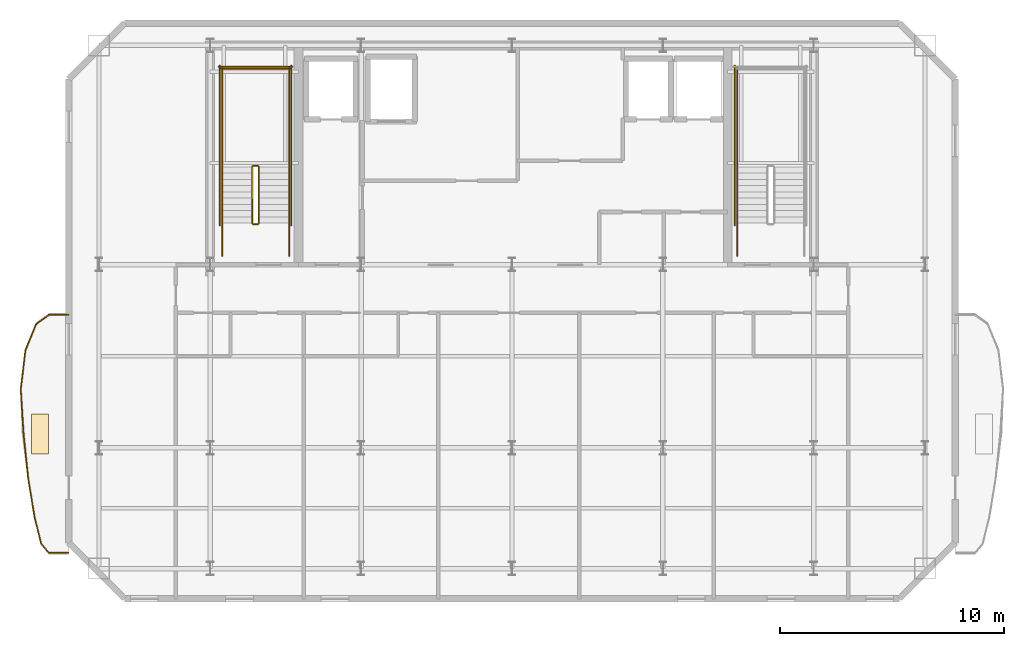
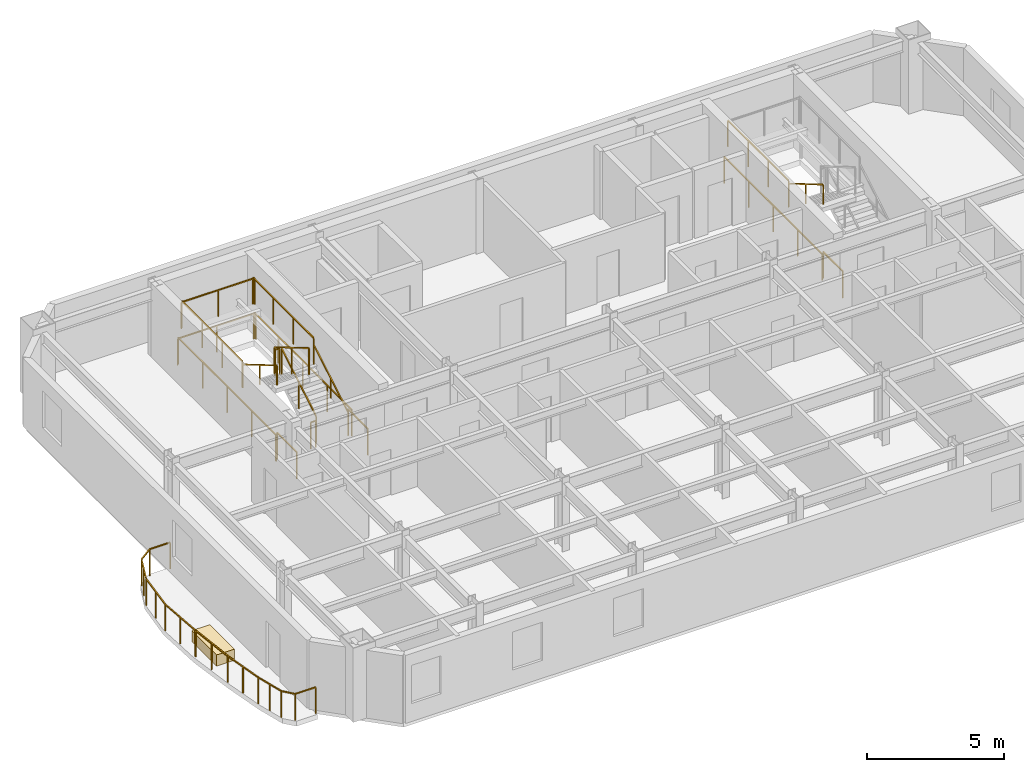
# One storey, part 5 of 6: 28 railings, 1 covering.
"""IFC4 building model written with IfcOpenShell, lengths in metres."""

import ifcopenshell
import ifcopenshell.guid

model = None  # the IFC model being written
_history = None  # IfcOwnerHistory: only IFC2X3 demands one
_inside = {}  # id of a spatial element -> (the spatial element, [elements in it])
_under = {}  # id of a project, library or spatial element -> (it, [spatial elements below it])
_declared = {}  # id of a project -> (the project, [libraries it declares])
_typed = {}  # id of a type object -> (the type object, [elements of that type])
_made_of = {}  # id of a material, layer set ... -> (it, [elements and type objects made of it])


def new_model(schema):
    """Start an empty IFC model of exactly this schema.

    Asked for "IFC4X3", IfcOpenShell would pick the latest addendum, in which some entities
    have other attributes; the version numbers below select the first issue.
    IFC2X3 requires an IfcOwnerHistory on every rooted entity: one is made here for all.
    """
    global model, _history
    if schema == "IFC4X3":
        model = ifcopenshell.file(schema_version=(4, 3, 0, 0))
    else:
        model = ifcopenshell.file(schema=schema)
    _inside.clear()
    _under.clear()
    _declared.clear()
    _typed.clear()
    _made_of.clear()
    _history = None
    if model.schema == "IFC2X3":
        org = make("IfcOrganization", Name="unknown")
        user = make(
            "IfcPersonAndOrganization",
            ThePerson=make("IfcPerson", FamilyName="unknown"),
            TheOrganization=org,
        )
        app = make(
            "IfcApplication",
            ApplicationDeveloper=org,
            Version="unknown",
            ApplicationFullName="unknown",
            ApplicationIdentifier="unknown",
        )
        _history = make(
            "IfcOwnerHistory",
            OwningUser=user,
            OwningApplication=app,
            ChangeAction="ADDED",
            CreationDate=0,
        )
    return model


def make(cls, **values):
    """One entity of the class cls with the attributes given. An attribute that is None is left unset."""
    return model.create_entity(
        cls, **{name: value for name, value in values.items() if value is not None}
    )


def rooted(cls, **values):
    """An entity with a GlobalId (a new one), such as an element, a storey or a relation."""
    return make(cls, GlobalId=ifcopenshell.guid.new(), OwnerHistory=_history, **values)


def si_unit(unit_type, name, prefix=None):
    """IfcSIUnit, for example si_unit("LENGTHUNIT", "METRE", prefix="MILLI")."""
    return make("IfcSIUnit", UnitType=unit_type, Prefix=prefix, Name=name)


def assignment(units):
    """IfcUnitAssignment: the units of a project."""
    return None if units is None else make("IfcUnitAssignment", Units=units)


def point(xyz):
    """IfcCartesianPoint."""
    return None if xyz is None else make("IfcCartesianPoint", Coordinates=xyz)


def direction(xyz):
    """IfcDirection."""
    return None if xyz is None else make("IfcDirection", DirectionRatios=xyz)


def frame(location, z_axis=None, x_axis=None):
    """IfcAxis2Placement3D, a coordinate frame: its origin and axes. An axis left out is left unset."""
    return make(
        "IfcAxis2Placement3D",
        Location=point(location),
        Axis=direction(z_axis),
        RefDirection=direction(x_axis),
    )


def frame_2d(location, x_axis=None):
    """IfcAxis2Placement2D, a coordinate frame in the plane: its origin and x axis."""
    return make(
        "IfcAxis2Placement2D", Location=point(location), RefDirection=direction(x_axis)
    )


def origin():
    """The frame at (0, 0, 0) with its axes left unset."""
    return frame((0.0, 0.0, 0.0))


def origin_2d():
    """The frame at (0, 0) in the plane with its x axis left unset."""
    return frame_2d((0.0, 0.0))


def place(relative_to, where):
    """IfcLocalPlacement: puts the frame where relative to a parent placement (None: the world)."""
    return make(
        "IfcLocalPlacement", PlacementRelTo=relative_to, RelativePlacement=where
    )


def context(
    kind, dimensions, precision=None, world=None, true_north=None, identifier=None
):
    """IfcGeometricRepresentationContext, for example the 3D "Model" context."""
    return make(
        "IfcGeometricRepresentationContext",
        ContextIdentifier=identifier,
        ContextType=kind,
        CoordinateSpaceDimension=dimensions,
        Precision=precision,
        WorldCoordinateSystem=world,
        TrueNorth=true_north,
    )


def subcontext(parent, identifier, kind, view, scale=None):
    """IfcGeometricRepresentationSubContext, for example "Body" below "Model"."""
    return make(
        "IfcGeometricRepresentationSubContext",
        ContextIdentifier=identifier,
        ContextType=kind,
        ParentContext=parent,
        TargetScale=scale,
        TargetView=view,
    )


def project(units=None, contexts=None):
    """IfcProject with its units and contexts."""
    return rooted(
        "IfcProject",
        Name="project",
        RepresentationContexts=contexts,
        UnitsInContext=assignment(units),
    )


def spatial(cls, under=None, at=None, **own):
    """A site, building, storey or space (cls), placed at a placement, below another one or the project."""
    s = rooted(cls, ObjectPlacement=at, **own)
    if under is not None:
        _under.setdefault(under.id(), (under, []))[1].append(s)
    return s


def profile(cls, at=None, kind="AREA", **sizes):
    """A parametric profile (cls). Its sizes go by their IFC names, for example OverallWidth=200.0."""
    return make(cls, ProfileType=kind, Position=at, **sizes)


def rectangle(**sizes):
    """IfcRectangleProfileDef."""
    return profile("IfcRectangleProfileDef", **sizes)


def extrude(swept, where, along, depth):
    """IfcExtrudedAreaSolid: the profile swept, set in the frame where, extruded along a direction by depth."""
    return make(
        "IfcExtrudedAreaSolid",
        SweptArea=swept,
        Position=where,
        ExtrudedDirection=direction(along),
        Depth=depth,
    )


def shape(context_of_items, identifier, shape_type, items):
    """IfcShapeRepresentation: the items that make up one representation, for example the "Body"."""
    return make(
        "IfcShapeRepresentation",
        ContextOfItems=context_of_items,
        RepresentationIdentifier=identifier,
        RepresentationType=shape_type,
        Items=items,
    )


def material(Name=None, Category=None):
    """IfcMaterial."""
    return make("IfcMaterial", Name=Name, Category=Category)


def layer(
    of_material, thickness, ventilated=None, Name=None, Category=None, Priority=None
):
    """IfcMaterialLayer: one layer of a wall or slab, of a material (None: an air gap)."""
    return make(
        "IfcMaterialLayer",
        Material=of_material,
        LayerThickness=thickness,
        IsVentilated=ventilated,
        Name=Name,
        Category=Category,
        Priority=Priority,
    )


def layer_set(layers, Name=None):
    """IfcMaterialLayerSet."""
    return make("IfcMaterialLayerSet", MaterialLayers=layers, LayerSetName=Name)


def made_of(thing, what):
    """Note that an element or type object is made of a material, layer set ...; save() writes the relation."""
    if what is not None:
        _made_of.setdefault(what.id(), (what, []))[1].append(thing)
    return thing


def type_object(cls, material=None, **own):
    """A type object (cls), such as IfcWallType, which elements share."""
    return made_of(rooted(cls, **own), material)


def element(
    cls,
    number,
    at=None,
    inside=None,
    cuts=None,
    type_object=None,
    material=None,
    context=None,
    identifier="Body",
    shape_type=None,
    held_by="IfcProductDefinitionShape",
    body=None,
    shapes=None,
    **own,
):
    """One element of the class cls, such as IfcWall. Its Tag is "e" and its number.

    at: its placement. inside: the storey or other place that contains it. cuts: it is an
    opening in that element (IfcRelVoidsElement). A single representation is given by context,
    identifier, shape_type and body (its items); several are given by shapes. held_by: the class
    of the entity that holds the representations. save() writes the other relations.
    """
    e = rooted(cls, Tag="e%d" % number, ObjectPlacement=at, **own)
    if body is not None:
        shapes = [shape(context, identifier, shape_type, body)]
    if shapes is not None:
        e.Representation = make(held_by, Representations=shapes)
    if inside is not None:
        _inside.setdefault(inside.id(), (inside, []))[1].append(e)
    if cuts is not None:
        rooted(
            "IfcRelVoidsElement", RelatingBuildingElement=cuts, RelatedOpeningElement=e
        )
    if type_object is not None:
        _typed.setdefault(type_object.id(), (type_object, []))[1].append(e)
    return made_of(e, material)


def aggregate(whole, parts):
    """IfcRelAggregates: a whole, such as a stair, and the parts it consists of."""
    return rooted("IfcRelAggregates", RelatingObject=whole, RelatedObjects=parts)


def save(model, path):
    """Write the relations noted so far, then the file.

    IfcRelAggregates (storeys below a building ...), IfcRelContainedInSpatialStructure (elements
    in a storey), IfcRelDefinesByType, IfcRelAssociatesMaterial and IfcRelDeclares: one each for
    every whole, place, type object, material and project.
    """
    for whole, parts in _under.values():
        aggregate(whole, parts)
    for where, things in _inside.values():
        rooted(
            "IfcRelContainedInSpatialStructure",
            RelatedElements=things,
            RelatingStructure=where,
        )
    for kind, things in _typed.values():
        rooted("IfcRelDefinesByType", RelatedObjects=things, RelatingType=kind)
    for what, things in _made_of.values():
        rooted("IfcRelAssociatesMaterial", RelatedObjects=things, RelatingMaterial=what)
    for by, libraries in _declared.values():
        rooted("IfcRelDeclares", RelatingContext=by, RelatedDefinitions=libraries)
    model.write(path)


model = new_model("IFC4")

# Units and contexts
model_context = context("Model", 3, precision=1e-05, world=origin(), true_north=direction((0.0, 1.0)))
body_context = subcontext(model_context, "Body", "Model", "MODEL_VIEW")
ifc_project = project(units=[si_unit("LENGTHUNIT", "METRE"), si_unit("AREAUNIT", "SQUARE_METRE"), si_unit("VOLUMEUNIT", "CUBIC_METRE"), si_unit("PLANEANGLEUNIT", "RADIAN"), si_unit("MASSUNIT", "GRAM", prefix="KILO")], contexts=[model_context])

# Site, building, storey
site_placement = place(None, origin())
site = spatial("IfcSite", under=ifc_project, at=site_placement, CompositionType="ELEMENT")
building_placement = place(site_placement, origin())
building = spatial("IfcBuilding", under=site, at=building_placement, Name="Haevon Station Towers", CompositionType="ELEMENT")
storey_placement = place(building_placement, frame((0.0, 0.0, 246.0)))
storey = spatial("IfcBuildingStorey", under=building, at=storey_placement, Name="L68", CompositionType="ELEMENT", Elevation=246.0)

# Railings
ifc_material_1 = material(Name="Steel S355", Category="steel")
railing_type_1 = type_object("IfcRailingType", Name="GRD-EXT1200", PredefinedType="GUARDRAIL", material=ifc_material_1)
railing_1_placement = place(storey_placement, frame((17.651611328125, 35.947265625, 0.0)))
element("IfcRailing", 1, at=railing_1_placement, inside=storey, type_object=railing_type_1, Name="L68 Perimeter Guardrail 1", PredefinedType="GUARDRAIL", context=body_context, shape_type="SweptSolid", body=[
    extrude(rectangle(XDim=0.048095703125, YDim=0.048095703125, at=origin_2d()), frame((0.0, 0.0, 1.17578125), z_axis=(-0.999997476494, -0.002246554286, 0.0), x_axis=(0.002246554286, -0.999997476494, 0.0)), (0.0, 0.0, 1.0), 0.869384765625),
    extrude(rectangle(XDim=0.0419921875, YDim=0.0419921875, at=origin_2d()), origin(), (0.0, 0.0, 1.0), 1.15185546875),
    extrude(rectangle(XDim=0.0419921875, YDim=0.0419921875, at=origin_2d()), frame((-0.869384765625, -0.001953125, 0.0)), (0.0, 0.0, 1.0), 1.15185546875),
])
railing_2_placement = place(storey_placement, frame((16.7822265625, 35.9453125, 0.0)))
element("IfcRailing", 2, at=railing_2_placement, inside=storey, type_object=railing_type_1, Name="L68 Perimeter Guardrail 2", PredefinedType="GUARDRAIL", context=body_context, shape_type="SweptSolid", body=[
    extrude(rectangle(XDim=0.048095703125, YDim=0.048095703125, at=origin_2d()), frame((0.0, 0.0, 1.17578125), z_axis=(-0.812092296848, -0.583529006477, 0.0), x_axis=(0.583529006477, -0.812092296848, 0.0)), (0.0, 0.0, 1.0), 0.705078125),
    extrude(rectangle(XDim=0.0419921875, YDim=0.0419921875, at=origin_2d()), origin(), (0.0, 0.0, 1.0), 1.15185546875),
    extrude(rectangle(XDim=0.0419921875, YDim=0.0419921875, at=origin_2d()), frame((-0.572509765625, -0.411376953125, 0.0)), (0.0, 0.0, 1.0), 1.15185546875),
])
railing_3_placement = place(storey_placement, frame((16.209716796875, 35.533935546875, 0.0)))
element("IfcRailing", 3, at=railing_3_placement, inside=storey, type_object=railing_type_1, Name="L68 Perimeter Guardrail 3", PredefinedType="GUARDRAIL", context=body_context, shape_type="SweptSolid", body=[
    extrude(rectangle(XDim=0.048095703125, YDim=0.048095703125, at=origin_2d()), frame((0.0, 0.0, 1.17578125), z_axis=(-0.379535160999, -0.925177313581, 0.0), x_axis=(0.925177313581, -0.379535160999, 0.0)), (0.0, 0.0, 1.0), 1.263916015625),
    extrude(rectangle(XDim=0.0419921875, YDim=0.0419921875, at=origin_2d()), origin(), (0.0, 0.0, 1.0), 1.15185546875),
    extrude(rectangle(XDim=0.0419921875, YDim=0.0419921875, at=origin_2d()), frame((-0.23974609375, -0.584716796875, 0.0)), (0.0, 0.0, 1.0), 1.15185546875),
    extrude(rectangle(XDim=0.0419921875, YDim=0.0419921875, at=origin_2d()), frame((-0.479736328125, -1.16943359375, 0.0)), (0.0, 0.0, 1.0), 1.15185546875),
])
railing_4_placement = place(storey_placement, frame((15.72998046875, 34.364501953125, 0.0)))
element("IfcRailing", 4, at=railing_4_placement, inside=storey, type_object=railing_type_1, Name="L68 Perimeter Guardrail 4", PredefinedType="GUARDRAIL", context=body_context, shape_type="SweptSolid", body=[
    extrude(rectangle(XDim=0.048095703125, YDim=0.048095703125, at=origin_2d()), frame((0.0, 0.0, 1.17578125), z_axis=(-0.117590336191, -0.993062189812, 0.0), x_axis=(0.993062189812, -0.117590336191, 0.0)), (0.0, 0.0, 1.0), 1.758544921875),
    extrude(rectangle(XDim=0.0419921875, YDim=0.0419921875, at=origin_2d()), origin(), (0.0, 0.0, 1.0), 1.15185546875),
    extrude(rectangle(XDim=0.0419921875, YDim=0.0419921875, at=origin_2d()), frame((-0.103515625, -0.873046875, 0.0)), (0.0, 0.0, 1.0), 1.15185546875),
    extrude(rectangle(XDim=0.0419921875, YDim=0.0419921875, at=origin_2d()), frame((-0.206787109375, -1.746337890625, 0.0)), (0.0, 0.0, 1.0), 1.15185546875),
])
railing_5_placement = place(storey_placement, frame((15.523193359375, 32.6181640625, 0.0)))
element("IfcRailing", 5, at=railing_5_placement, inside=storey, type_object=railing_type_1, Name="L68 Perimeter Guardrail 5", PredefinedType="GUARDRAIL", context=body_context, shape_type="SweptSolid", body=[
    extrude(rectangle(XDim=0.048095703125, YDim=0.048095703125, at=origin_2d()), frame((0.0, 0.0, 1.17578125), z_axis=(0.063443708023, -0.997985418687, 0.0), x_axis=(0.997985418687, 0.063443708023, 0.0)), (0.0, 0.0, 1.0), 1.9970703125),
    extrude(rectangle(XDim=0.0419921875, YDim=0.0419921875, at=origin_2d()), origin(), (0.0, 0.0, 1.0), 1.15185546875),
    extrude(rectangle(XDim=0.0419921875, YDim=0.0419921875, at=origin_2d()), frame((0.0634765625, -0.99658203125, 0.0)), (0.0, 0.0, 1.0), 1.15185546875),
    extrude(rectangle(XDim=0.0419921875, YDim=0.0419921875, at=origin_2d()), frame((0.126708984375, -1.9931640625, 0.0)), (0.0, 0.0, 1.0), 1.15185546875),
])
railing_6_placement = place(storey_placement, frame((15.64990234375, 30.625, 0.0)))
element("IfcRailing", 6, at=railing_6_placement, inside=storey, type_object=railing_type_1, Name="L68 Perimeter Guardrail 6", PredefinedType="GUARDRAIL", context=body_context, shape_type="SweptSolid", body=[
    extrude(rectangle(XDim=0.048095703125, YDim=0.048095703125, at=origin_2d()), frame((0.0, 0.0, 1.17578125), z_axis=(0.102549270738, -0.994727926154, 0.0), x_axis=(0.994727926154, 0.102549270738, 0.0)), (0.0, 0.0, 1.0), 1.999755859375),
    extrude(rectangle(XDim=0.0419921875, YDim=0.0419921875, at=origin_2d()), origin(), (0.0, 0.0, 1.0), 1.15185546875),
    extrude(rectangle(XDim=0.0419921875, YDim=0.0419921875, at=origin_2d()), frame((0.1025390625, -0.99462890625, 0.0)), (0.0, 0.0, 1.0), 1.15185546875),
    extrude(rectangle(XDim=0.0419921875, YDim=0.0419921875, at=origin_2d()), frame((0.205078125, -1.9892578125, 0.0)), (0.0, 0.0, 1.0), 1.15185546875),
])
railing_7_placement = place(storey_placement, frame((15.85498046875, 28.6357421875, 0.0)))
element("IfcRailing", 7, at=railing_7_placement, inside=storey, type_object=railing_type_1, Name="L68 Perimeter Guardrail 7", PredefinedType="GUARDRAIL", context=body_context, shape_type="SweptSolid", body=[
    extrude(rectangle(XDim=0.048095703125, YDim=0.048095703125, at=origin_2d()), frame((0.0, 0.0, 1.17578125), z_axis=(0.162366406363, -0.986730535701, 0.0), x_axis=(0.986730535701, 0.162366406363, 0.0)), (0.0, 0.0, 1.0), 1.772705078125),
    extrude(rectangle(XDim=0.0419921875, YDim=0.0419921875, at=origin_2d()), origin(), (0.0, 0.0, 1.0), 1.15185546875),
    extrude(rectangle(XDim=0.0419921875, YDim=0.0419921875, at=origin_2d()), frame((0.14404296875, -0.87451171875, 0.0)), (0.0, 0.0, 1.0), 1.15185546875),
    extrude(rectangle(XDim=0.0419921875, YDim=0.0419921875, at=origin_2d()), frame((0.287841796875, -1.749267578125, 0.0)), (0.0, 0.0, 1.0), 1.15185546875),
])
railing_8_placement = place(storey_placement, frame((16.142822265625, 26.886474609375, 0.0)))
element("IfcRailing", 8, at=railing_8_placement, inside=storey, type_object=railing_type_1, Name="L68 Perimeter Guardrail 8", PredefinedType="GUARDRAIL", context=body_context, shape_type="SweptSolid", body=[
    extrude(rectangle(XDim=0.048095703125, YDim=0.048095703125, at=origin_2d()), frame((0.0, 0.0, 1.17578125), z_axis=(0.243202070488, -0.969975645524, 0.0), x_axis=(0.969975645524, 0.243202070488, 0.0)), (0.0, 0.0, 1.0), 1.20654296875),
    extrude(rectangle(XDim=0.0419921875, YDim=0.0419921875, at=origin_2d()), origin(), (0.0, 0.0, 1.0), 1.15185546875),
    extrude(rectangle(XDim=0.0419921875, YDim=0.0419921875, at=origin_2d()), frame((0.146728515625, -0.585205078125, 0.0)), (0.0, 0.0, 1.0), 1.15185546875),
    extrude(rectangle(XDim=0.0419921875, YDim=0.0419921875, at=origin_2d()), frame((0.29345703125, -1.17041015625, 0.0)), (0.0, 0.0, 1.0), 1.15185546875),
])
railing_9_placement = place(storey_placement, frame((16.436279296875, 25.716064453125, 0.0)))
element("IfcRailing", 9, at=railing_9_placement, inside=storey, type_object=railing_type_1, Name="L68 Perimeter Guardrail 9", PredefinedType="GUARDRAIL", context=body_context, shape_type="SweptSolid", body=[
    extrude(rectangle(XDim=0.048095703125, YDim=0.048095703125, at=origin_2d()), frame((0.0, 0.0, 1.17578125), z_axis=(0.643618076679, -0.765346830772, 0.0), x_axis=(0.765346830772, 0.643618076679, 0.0)), (0.0, 0.0, 1.0), 0.53759765625),
    extrude(rectangle(XDim=0.0419921875, YDim=0.0419921875, at=origin_2d()), origin(), (0.0, 0.0, 1.0), 1.15185546875),
    extrude(rectangle(XDim=0.0419921875, YDim=0.0419921875, at=origin_2d()), frame((0.345947265625, -0.411376953125, 0.0)), (0.0, 0.0, 1.0), 1.15185546875),
])
railing_10_placement = place(storey_placement, frame((16.7822265625, 25.3046875, 0.0)))
element("IfcRailing", 10, at=railing_10_placement, inside=storey, type_object=railing_type_1, Name="L68 Perimeter Guardrail 10", PredefinedType="GUARDRAIL", context=body_context, shape_type="SweptSolid", body=[
    extrude(rectangle(XDim=0.048095703125, YDim=0.048095703125, at=origin_2d()), frame((0.0, 0.0, 1.17578125), z_axis=(0.999997476494, -0.002246554286, 0.0), x_axis=(0.002246554286, 0.999997476494, 0.0)), (0.0, 0.0, 1.0), 0.869384765625),
    extrude(rectangle(XDim=0.0419921875, YDim=0.0419921875, at=origin_2d()), origin(), (0.0, 0.0, 1.0), 1.15185546875),
    extrude(rectangle(XDim=0.0419921875, YDim=0.0419921875, at=origin_2d()), frame((0.869384765625, -0.001953125, 0.0)), (0.0, 0.0, 1.0), 1.15185546875),
])
railing_type_2 = type_object("IfcRailingType", Name="GRD-STR1200", PredefinedType="GUARDRAIL", material=ifc_material_1)
railing_11_placement = place(storey_placement, frame((26.179931640625, 40.050048828125, 0.1650390625)))
element("IfcRailing", 11, at=railing_11_placement, inside=storey, type_object=railing_type_2, Name="L68 ST1 Stair Guard 1", PredefinedType="GUARDRAIL", context=body_context, shape_type="SweptSolid", body=[
    extrude(rectangle(XDim=0.048095703125, YDim=0.048095703125, at=origin_2d()), frame((0.0, 0.0, 1.17578125), z_axis=(0.0, 0.861560626758, 0.507654692109), x_axis=(-1.0, 0.0, 0.0)), (0.0, 0.0, 1.0), 2.925048828125),
    extrude(rectangle(XDim=0.0419921875, YDim=0.0419921875, at=origin_2d()), origin(), (0.0, 0.0, 1.0), 1.15185546875),
    extrude(rectangle(XDim=0.0419921875, YDim=0.0419921875, at=origin_2d()), frame((0.0, 1.260009765625, 0.742431640625)), (0.0, 0.0, 1.0), 1.15185546875),
    extrude(rectangle(XDim=0.0419921875, YDim=0.0419921875, at=origin_2d()), frame((0.0, 2.52001953125, 1.48486328125)), (0.0, 0.0, 1.0), 1.15185546875),
])
railing_12_placement = place(storey_placement, frame((26.1298828125, 42.6201171875, 1.64990234375)))
element("IfcRailing", 12, at=railing_12_placement, inside=storey, type_object=railing_type_2, Name="L68 ST1 Stair Guard 2", PredefinedType="GUARDRAIL", context=body_context, shape_type="SweptSolid", body=[
    extrude(rectangle(XDim=0.048095703125, YDim=0.048095703125, at=origin_2d()), frame((0.0, 0.0, 1.17578125), z_axis=(-1.0, 0.0, 0.0), x_axis=(0.0, -1.0, 0.0)), (0.0, 0.0, 1.0), 0.199951171875),
    extrude(rectangle(XDim=0.0419921875, YDim=0.0419921875, at=origin_2d()), origin(), (0.0, 0.0, 1.0), 1.15185546875),
    extrude(rectangle(XDim=0.0419921875, YDim=0.0419921875, at=origin_2d()), frame((-0.199951171875, 0.0, 0.0)), (0.0, 0.0, 1.0), 1.15185546875),
])
for number, where, name in (
    (13, (27.530029296875, 42.570068359375, 1.64990234375), "L68 ST1 Stair Guard 3"),
    (14, (24.530029296875, 42.570068359375, 1.64990234375), "L68 ST1 Stair Guard 4"),
):
    element("IfcRailing", number, at=place(storey_placement, frame(where)), inside=storey, type_object=railing_type_2, Name=name, PredefinedType="GUARDRAIL", context=body_context, shape_type="SweptSolid", body=[
        extrude(rectangle(XDim=0.048095703125, YDim=0.048095703125, at=origin_2d()), frame((0.0, 0.0, 1.17578125), z_axis=(0.0, 1.0, 0.0), x_axis=(-1.0, 0.0, 0.0)), (0.0, 0.0, 1.0), 4.429931640625),
        extrude(rectangle(XDim=0.0419921875, YDim=0.0419921875, at=origin_2d()), origin(), (0.0, 0.0, 1.0), 1.15185546875),
        extrude(rectangle(XDim=0.0419921875, YDim=0.0419921875, at=origin_2d()), frame((0.0, 1.4765625, 0.0)), (0.0, 0.0, 1.0), 1.15185546875),
        extrude(rectangle(XDim=0.0419921875, YDim=0.0419921875, at=origin_2d()), frame((0.0, 2.953369140625, 0.0)), (0.0, 0.0, 1.0), 1.15185546875),
        extrude(rectangle(XDim=0.0419921875, YDim=0.0419921875, at=origin_2d()), frame((0.0, 4.429931640625, 0.0)), (0.0, 0.0, 1.0), 1.15185546875),
    ])
railing_13_placement = place(storey_placement, frame((27.580078125, 46.949951171875, 1.64990234375)))
element("IfcRailing", 15, at=railing_13_placement, inside=storey, type_object=railing_type_2, Name="L68 ST1 Stair Guard 5", PredefinedType="GUARDRAIL", context=body_context, shape_type="SweptSolid", body=[
    extrude(rectangle(XDim=0.048095703125, YDim=0.048095703125, at=origin_2d()), frame((0.0, 0.0, 1.17578125), z_axis=(-1.0, 0.0, 0.0), x_axis=(0.0, -1.0, 0.0)), (0.0, 0.0, 1.0), 3.10009765625),
    extrude(rectangle(XDim=0.0419921875, YDim=0.0419921875, at=origin_2d()), origin(), (0.0, 0.0, 1.0), 1.15185546875),
    extrude(rectangle(XDim=0.0419921875, YDim=0.0419921875, at=origin_2d()), frame((-1.550048828125, 0.0, 0.0)), (0.0, 0.0, 1.0), 1.15185546875),
    extrude(rectangle(XDim=0.0419921875, YDim=0.0419921875, at=origin_2d()), frame((-3.10009765625, 0.0, 0.0)), (0.0, 0.0, 1.0), 1.15185546875),
])
railing_14_placement = place(storey_placement, frame((25.8798828125, 42.570068359375, 1.81494140625)))
element("IfcRailing", 16, at=railing_14_placement, inside=storey, type_object=railing_type_2, Name="L68 ST1 Stair Guard 6", PredefinedType="GUARDRAIL", context=body_context, shape_type="SweptSolid", body=[
    extrude(rectangle(XDim=0.048095703125, YDim=0.048095703125, at=origin_2d()), frame((0.0, 0.0, 1.17578125), z_axis=(0.0, -0.86152411907, 0.507716645641), x_axis=(1.0, 0.0, 0.0)), (0.0, 0.0, 1.0), 2.925048828125),
    extrude(rectangle(XDim=0.0419921875, YDim=0.0419921875, at=origin_2d()), origin(), (0.0, 0.0, 1.0), 1.15185546875),
    extrude(rectangle(XDim=0.0419921875, YDim=0.0419921875, at=origin_2d()), frame((0.0, -1.260009765625, 0.74267578125)), (0.0, 0.0, 1.0), 1.15185546875),
    extrude(rectangle(XDim=0.0419921875, YDim=0.0419921875, at=origin_2d()), frame((0.0, -2.52001953125, 1.485107421875)), (0.0, 0.0, 1.0), 1.15185546875),
])
railing_15_placement = place(storey_placement, frame((26.1298828125, 40.0, 0.0)))
element("IfcRailing", 17, at=railing_15_placement, inside=storey, type_object=railing_type_2, Name="L68 ST1 Stair Guard 7", PredefinedType="GUARDRAIL", context=body_context, shape_type="SweptSolid", body=[
    extrude(rectangle(XDim=0.048095703125, YDim=0.048095703125, at=origin_2d()), frame((0.0, 0.0, 1.17578125), z_axis=(-1.0, 0.0, 0.0), x_axis=(0.0, -1.0, 0.0)), (0.0, 0.0, 1.0), 0.199951171875),
    extrude(rectangle(XDim=0.0419921875, YDim=0.0419921875, at=origin_2d()), origin(), (0.0, 0.0, 1.0), 1.15185546875),
    extrude(rectangle(XDim=0.0419921875, YDim=0.0419921875, at=origin_2d()), frame((-0.199951171875, 0.0, 0.0)), (0.0, 0.0, 1.0), 1.15185546875),
])
for number, where, name in (
    (18, (27.530029296875, 38.60009765625, 0.0), "L68 ST1 Stair Guard 8"),
    (19, (24.530029296875, 38.60009765625, 0.0), "L68 ST1 Stair Guard 9"),
):
    element("IfcRailing", number, at=place(storey_placement, frame(where)), inside=storey, type_object=railing_type_2, Name=name, PredefinedType="GUARDRAIL", context=body_context, shape_type="SweptSolid", body=[
        extrude(rectangle(XDim=0.048095703125, YDim=0.048095703125, at=origin_2d()), frame((0.0, 0.0, 1.17578125), z_axis=(0.0, 1.0, 0.0), x_axis=(-1.0, 0.0, 0.0)), (0.0, 0.0, 1.0), 1.449951171875),
        extrude(rectangle(XDim=0.0419921875, YDim=0.0419921875, at=origin_2d()), origin(), (0.0, 0.0, 1.0), 1.15185546875),
        extrude(rectangle(XDim=0.0419921875, YDim=0.0419921875, at=origin_2d()), frame((0.0, 1.449951171875, 0.0)), (0.0, 0.0, 1.0), 1.15185546875),
    ])
for number, where, name in (
    (20, (27.6298828125, 39.949951171875, 0.0), "L68 ST1 Stair Guard 10"),
    (21, (24.429931640625, 39.949951171875, 0.0), "L68 ST1 Stair Guard 11"),
):
    element("IfcRailing", number, at=place(storey_placement, frame(where)), inside=storey, type_object=railing_type_2, Name=name, PredefinedType="GUARDRAIL", context=body_context, shape_type="SweptSolid", body=[
        extrude(rectangle(XDim=0.048095703125, YDim=0.048095703125, at=origin_2d()), frame((0.0, 0.0, 1.17578125), z_axis=(0.0, 1.0, 0.0), x_axis=(-1.0, 0.0, 0.0)), (0.0, 0.0, 1.0), 7.150146484375),
        extrude(rectangle(XDim=0.0419921875, YDim=0.0419921875, at=origin_2d()), origin(), (0.0, 0.0, 1.0), 1.15185546875),
        extrude(rectangle(XDim=0.0419921875, YDim=0.0419921875, at=origin_2d()), frame((0.0, 1.78759765625, 0.0)), (0.0, 0.0, 1.0), 1.15185546875),
        extrude(rectangle(XDim=0.0419921875, YDim=0.0419921875, at=origin_2d()), frame((0.0, 3.5751953125, 0.0)), (0.0, 0.0, 1.0), 1.15185546875),
        extrude(rectangle(XDim=0.0419921875, YDim=0.0419921875, at=origin_2d()), frame((0.0, 5.362548828125, 0.0)), (0.0, 0.0, 1.0), 1.15185546875),
        extrude(rectangle(XDim=0.0419921875, YDim=0.0419921875, at=origin_2d()), frame((0.0, 7.150146484375, 0.0)), (0.0, 0.0, 1.0), 1.15185546875),
    ])
railing_16_placement = place(storey_placement, frame((27.679931640625, 47.050048828125, 0.0)))
element("IfcRailing", 22, at=railing_16_placement, inside=storey, type_object=railing_type_2, Name="L68 ST1 Stair Guard 12", PredefinedType="GUARDRAIL", context=body_context, shape_type="SweptSolid", body=[
    extrude(rectangle(XDim=0.048095703125, YDim=0.048095703125, at=origin_2d()), frame((0.0, 0.0, 1.17578125), z_axis=(-1.0, 0.0, 0.0), x_axis=(0.0, -1.0, 0.0)), (0.0, 0.0, 1.0), 3.300048828125),
    extrude(rectangle(XDim=0.0419921875, YDim=0.0419921875, at=origin_2d()), origin(), (0.0, 0.0, 1.0), 1.15185546875),
    extrude(rectangle(XDim=0.0419921875, YDim=0.0419921875, at=origin_2d()), frame((-1.64990234375, 0.0, 0.0)), (0.0, 0.0, 1.0), 1.15185546875),
    extrude(rectangle(XDim=0.0419921875, YDim=0.0419921875, at=origin_2d()), frame((-3.300048828125, 0.0, 0.0)), (0.0, 0.0, 1.0), 1.15185546875),
])
railing_17_placement = place(storey_placement, frame((47.570068359375, 42.570068359375, 1.64990234375)))
element("IfcRailing", 23, at=railing_17_placement, inside=storey, type_object=railing_type_2, Name="L68 ST2 Stair Guard 4", PredefinedType="GUARDRAIL", context=body_context, shape_type="SweptSolid", body=[
    extrude(rectangle(XDim=0.048095703125, YDim=0.048095703125, at=origin_2d()), frame((0.0, 0.0, 1.17578125), z_axis=(0.0, 1.0, 0.0), x_axis=(-1.0, 0.0, 0.0)), (0.0, 0.0, 1.0), 4.429931640625),
    extrude(rectangle(XDim=0.0419921875, YDim=0.0419921875, at=origin_2d()), origin(), (0.0, 0.0, 1.0), 1.15185546875),
    extrude(rectangle(XDim=0.0419921875, YDim=0.0419921875, at=origin_2d()), frame((0.0, 1.4765625, 0.0)), (0.0, 0.0, 1.0), 1.15185546875),
    extrude(rectangle(XDim=0.0419921875, YDim=0.0419921875, at=origin_2d()), frame((0.0, 2.953369140625, 0.0)), (0.0, 0.0, 1.0), 1.15185546875),
    extrude(rectangle(XDim=0.0419921875, YDim=0.0419921875, at=origin_2d()), frame((0.0, 4.429931640625, 0.0)), (0.0, 0.0, 1.0), 1.15185546875),
])
railing_18_placement = place(storey_placement, frame((47.570068359375, 38.60009765625, 0.0)))
element("IfcRailing", 24, at=railing_18_placement, inside=storey, type_object=railing_type_2, Name="L68 ST2 Stair Guard 9", PredefinedType="GUARDRAIL", context=body_context, shape_type="SweptSolid", body=[
    extrude(rectangle(XDim=0.048095703125, YDim=0.048095703125, at=origin_2d()), frame((0.0, 0.0, 1.17578125), z_axis=(0.0, 1.0, 0.0), x_axis=(-1.0, 0.0, 0.0)), (0.0, 0.0, 1.0), 1.449951171875),
    extrude(rectangle(XDim=0.0419921875, YDim=0.0419921875, at=origin_2d()), origin(), (0.0, 0.0, 1.0), 1.15185546875),
    extrude(rectangle(XDim=0.0419921875, YDim=0.0419921875, at=origin_2d()), frame((0.0, 1.449951171875, 0.0)), (0.0, 0.0, 1.0), 1.15185546875),
])
railing_19_placement = place(storey_placement, frame((47.469970703125, 39.949951171875, 0.0)))
element("IfcRailing", 25, at=railing_19_placement, inside=storey, type_object=railing_type_2, Name="L68 ST2 Stair Guard 11", PredefinedType="GUARDRAIL", context=body_context, shape_type="SweptSolid", body=[
    extrude(rectangle(XDim=0.048095703125, YDim=0.048095703125, at=origin_2d()), frame((0.0, 0.0, 1.17578125), z_axis=(0.0, 1.0, 0.0), x_axis=(-1.0, 0.0, 0.0)), (0.0, 0.0, 1.0), 7.150146484375),
    extrude(rectangle(XDim=0.0419921875, YDim=0.0419921875, at=origin_2d()), origin(), (0.0, 0.0, 1.0), 1.15185546875),
    extrude(rectangle(XDim=0.0419921875, YDim=0.0419921875, at=origin_2d()), frame((0.0, 1.78759765625, 0.0)), (0.0, 0.0, 1.0), 1.15185546875),
    extrude(rectangle(XDim=0.0419921875, YDim=0.0419921875, at=origin_2d()), frame((0.0, 3.5751953125, 0.0)), (0.0, 0.0, 1.0), 1.15185546875),
    extrude(rectangle(XDim=0.0419921875, YDim=0.0419921875, at=origin_2d()), frame((0.0, 5.362548828125, 0.0)), (0.0, 0.0, 1.0), 1.15185546875),
    extrude(rectangle(XDim=0.0419921875, YDim=0.0419921875, at=origin_2d()), frame((0.0, 7.150146484375, 0.0)), (0.0, 0.0, 1.0), 1.15185546875),
])
railing_type_3 = type_object("IfcRailingType", Name="HND-STR900", PredefinedType="HANDRAIL", material=ifc_material_1)
railing_20_placement = place(storey_placement, frame((27.530029296875, 40.050048828125, 0.1650390625)))
element("IfcRailing", 26, at=railing_20_placement, inside=storey, type_object=railing_type_3, Name="L68 ST1 Stair Handrail 1", PredefinedType="HANDRAIL", context=body_context, shape_type="SweptSolid", body=[
    extrude(rectangle(XDim=0.048095703125, YDim=0.048095703125, at=origin_2d()), frame((0.0, 0.0, 0.8759765625), z_axis=(0.0, 0.861560626758, 0.507654692109), x_axis=(-1.0, 0.0, 0.0)), (0.0, 0.0, 1.0), 2.925048828125),
    extrude(rectangle(XDim=0.0419921875, YDim=0.0419921875, at=origin_2d()), origin(), (0.0, 0.0, 1.0), 0.851806640625),
    extrude(rectangle(XDim=0.0419921875, YDim=0.0419921875, at=origin_2d()), frame((0.0, 1.260009765625, 0.742431640625)), (0.0, 0.0, 1.0), 0.851806640625),
    extrude(rectangle(XDim=0.0419921875, YDim=0.0419921875, at=origin_2d()), frame((0.0, 2.52001953125, 1.48486328125)), (0.0, 0.0, 1.0), 0.851806640625),
])
for number, where, name in (
    (27, (24.530029296875, 42.570068359375, 1.81494140625), "L68 ST1 Stair Handrail 2"),
    (28, (47.570068359375, 42.570068359375, 1.81494140625), "L68 ST2 Stair Handrail 2"),
):
    element("IfcRailing", number, at=place(storey_placement, frame(where)), inside=storey, type_object=railing_type_3, Name=name, PredefinedType="HANDRAIL", context=body_context, shape_type="SweptSolid", body=[
        extrude(rectangle(XDim=0.048095703125, YDim=0.048095703125, at=origin_2d()), frame((0.0, 0.0, 0.8759765625), z_axis=(0.0, -0.86152411907, 0.507716645641), x_axis=(1.0, 0.0, 0.0)), (0.0, 0.0, 1.0), 2.925048828125),
        extrude(rectangle(XDim=0.0419921875, YDim=0.0419921875, at=origin_2d()), origin(), (0.0, 0.0, 1.0), 0.851806640625),
        extrude(rectangle(XDim=0.0419921875, YDim=0.0419921875, at=origin_2d()), frame((0.0, -1.260009765625, 0.74267578125)), (0.0, 0.0, 1.0), 0.851806640625),
        extrude(rectangle(XDim=0.0419921875, YDim=0.0419921875, at=origin_2d()), frame((0.0, -2.52001953125, 1.485107421875)), (0.0, 0.0, 1.0), 0.851806640625),
    ])

# Covering
ifc_material_2 = material(Name="Architectural planter GRC", Category="concrete")
ifc_layer = layer(ifc_material_2, 0.550048828125)
ifc_layer_set = layer_set([ifc_layer], Name="Architectural planter GRC")
covering_type = type_object("IfcCoveringType", Name="PLN-GRC550", PredefinedType="MOLDING", material=ifc_layer_set)
covering_placement = place(storey_placement, frame((16.3916015625, 30.625, 0.0), z_axis=(0.0, 0.0, 1.0), x_axis=(1.0, 0.0, 0.0)))
element("IfcCovering", 29, at=covering_placement, inside=storey, type_object=covering_type, Name="Tower 1 L68 Scalloped Balcony PLANTER", PredefinedType="MOLDING", context=body_context, shape_type="SweptSolid", body=[
    extrude(rectangle(XDim=0.75, YDim=1.800048828125, at=origin_2d()), origin(), (0.0, 0.0, 1.0), 0.5),
])

save(model, "model.ifc")
